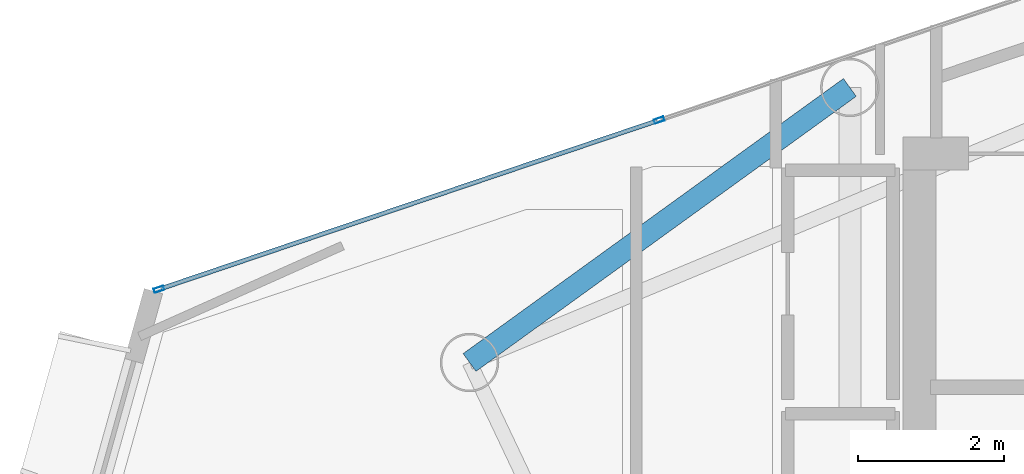
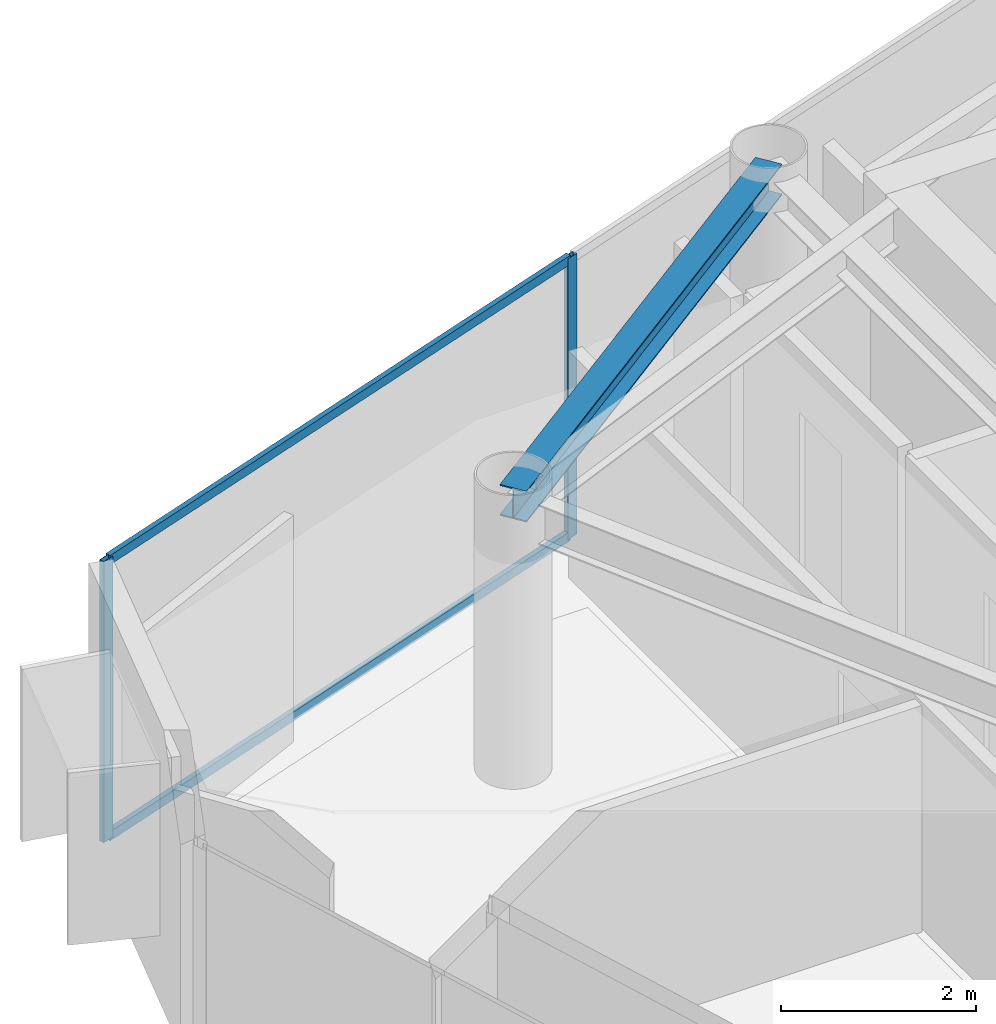
# One storey, part 9 of 19: 4 members, 1 beam, 1 element without a shape of its own.
"""IFC4 building model written with IfcOpenShell, lengths in metres."""

from ifc_helpers import new_model, si_unit, direction, frame, origin, origin_2d, place, context, subcontext, project, spatial, hollow_rectangle, i_section, extrude, material, layer, layer_set, material_profile, profile_set, type_object, element, aggregate, save


model = new_model("IFC4")

# Units and contexts
model_context = context("Model", 3, precision=1e-05, world=origin(), true_north=direction((0.0, 1.0)))
body_context = subcontext(model_context, "Body", "Model", "MODEL_VIEW")
ifc_project = project(units=[si_unit("LENGTHUNIT", "METRE"), si_unit("AREAUNIT", "SQUARE_METRE"), si_unit("VOLUMEUNIT", "CUBIC_METRE"), si_unit("PLANEANGLEUNIT", "RADIAN"), si_unit("MASSUNIT", "GRAM", prefix="KILO")], contexts=[model_context])

# Site, building, storey
site_placement = place(None, origin())
site = spatial("IfcSite", under=ifc_project, at=site_placement, CompositionType="ELEMENT")
building_placement = place(site_placement, origin())
building = spatial("IfcBuilding", under=site, at=building_placement, Name="Qianvela Tower", CompositionType="ELEMENT")
storey_placement = place(building_placement, frame((0.0, 0.0, 333.300048828125)))
storey = spatial("IfcBuildingStorey", under=building, at=storey_placement, Name="L86", CompositionType="ELEMENT", Elevation=333.300048828125)

# Beam
ifc_material_1 = material(Name="Steel Q355B", Category="steel")
ifc_material_profile_1 = material_profile(ifc_material_1, i_section(OverallWidth=0.300048828125, OverallDepth=0.389892578125, WebThickness=0.010009765625, FlangeThickness=0.01611328125, at=origin_2d()), Name="HM390x300x10x16")
ifc_profile_set_1 = profile_set([ifc_material_profile_1], Name="Steel Q355B")
beam_type = type_object("IfcBeamType", Name="BM-HM390-COLL", PredefinedType="BEAM", material=ifc_profile_set_1)
beam_placement = place(storey_placement, frame((28.60009765625, 33.550048828125, 3.322998046875), z_axis=(-0.810287827692, -0.586032112, 0.0), x_axis=(0.586032112, -0.810287827692, 0.0)))
element("IfcBeam", 1, at=beam_placement, inside=storey, type_object=beam_type, Name="L86 Radial Primary Floor Girder 3", PredefinedType="BEAM", context=body_context, shape_type="SweptSolid", body=[
    extrude(i_section(OverallWidth=0.300048828125, OverallDepth=0.389892578125, WebThickness=0.010009765625, FlangeThickness=0.01611328125, at=origin_2d()), origin(), (0.0, 0.0, 1.0), 6.417724609375),
])

# Curtain wall, members
ifc_material_2 = material(Name="Anodised Architectural Aluminium and Low-E Glass", Category="aluminium")
ifc_layer = layer(ifc_material_2, 0.14990234375)
ifc_layer_set = layer_set([ifc_layer], Name="Anodised Architectural Aluminium and Low-E Glass")
curtain_wall_type = type_object("IfcCurtainWallType", Name="CW-COLIV-Z78", PredefinedType="USERDEFINED", material=ifc_layer_set)
curtain_wall_placement = place(storey_placement, origin())
curtain_wall = element("IfcCurtainWall", 2, at=curtain_wall_placement, inside=storey, type_object=curtain_wall_type, Name="L86 CW-COLIV-Z78 Curtain Wall 02C", ObjectType="CURTAIN_WALL_SYSTEM", PredefinedType="USERDEFINED")
ifc_material_3 = material(Name="Anodised Architectural Aluminium 6063-T6", Category="aluminium")
ifc_material_profile_2 = material_profile(ifc_material_3, hollow_rectangle(XDim=0.06005859375, YDim=0.139892578125, WallThickness=0.00439453125, at=origin_2d()), Name="ALU-MULL-60x140")
ifc_profile_set_2 = profile_set([ifc_material_profile_2], Name="Anodised Architectural Aluminium 6063-T6")
member_type_1 = type_object("IfcMemberType", Name="CW-COLIV-Z78-MULL", PredefinedType="MULLION", material=ifc_profile_set_2)
member_1_placement = place(storey_placement, frame((25.9921875, 33.103515625, 0.0), z_axis=(0.0, 0.0, 1.0), x_axis=(0.320399874285, -0.947282386914, 0.0)))
member_1 = element("IfcMember", 3, at=member_1_placement, type_object=member_type_1, Name="CW-6 mullion 2", PredefinedType="MULLION", context=body_context, shape_type="SweptSolid", body=[
    extrude(hollow_rectangle(XDim=0.06005859375, YDim=0.139892578125, WallThickness=0.00439453125, at=origin_2d()), origin(), (0.0, 0.0, 1.0), 3.52001953125),
])
member_2_placement = place(storey_placement, frame((19.15283203125, 30.790283203125, 0.0), z_axis=(0.0, 0.0, 1.0), x_axis=(0.320399874285, -0.947282386914, 0.0)))
member_2 = element("IfcMember", 4, at=member_2_placement, type_object=member_type_1, Name="CW-6 mullion 3", PredefinedType="MULLION", context=body_context, shape_type="SweptSolid", body=[
    extrude(hollow_rectangle(XDim=0.06005859375, YDim=0.139892578125, WallThickness=0.00439453125, at=origin_2d()), origin(), (0.0, 0.0, 1.0), 3.52001953125),
])
ifc_material_4 = material(Name="Anodised Architectural Aluminium 6063-T6", Category="aluminium")
ifc_material_profile_3 = material_profile(ifc_material_4, hollow_rectangle(XDim=0.06005859375, YDim=0.114990234375, WallThickness=0.00390625, at=origin_2d()), Name="ALU-TRAN-60x115")
ifc_profile_set_3 = profile_set([ifc_material_profile_3], Name="Anodised Architectural Aluminium 6063-T6")
member_type_2 = type_object("IfcMemberType", Name="CW-COLIV-Z78-TRAN", PredefinedType="USERDEFINED", material=ifc_profile_set_3)
member_3_placement = place(storey_placement, frame((25.9638671875, 33.093994140625, 0.030029296875), z_axis=(-0.947276010004, -0.320418727404, 0.0), x_axis=(0.320418727404, -0.947276010004, 0.0)))
member_3 = element("IfcMember", 5, at=member_3_placement, type_object=member_type_2, Name="CW-6 transom 2.1", ObjectType="TRANSOM", PredefinedType="USERDEFINED", context=body_context, shape_type="SweptSolid", body=[
    extrude(hollow_rectangle(XDim=0.06005859375, YDim=0.114990234375, WallThickness=0.00390625, at=origin_2d()), origin(), (0.0, 0.0, 1.0), 7.159912109375),
])
member_4_placement = place(storey_placement, frame((25.9638671875, 33.093994140625, 3.489990234375), z_axis=(-0.947276010004, -0.320418727404, 0.0), x_axis=(0.320418727404, -0.947276010004, 0.0)))
member_4 = element("IfcMember", 6, at=member_4_placement, type_object=member_type_2, Name="CW-6 transom 2.2", ObjectType="TRANSOM", PredefinedType="USERDEFINED", context=body_context, shape_type="SweptSolid", body=[
    extrude(hollow_rectangle(XDim=0.06005859375, YDim=0.114990234375, WallThickness=0.00390625, at=origin_2d()), origin(), (0.0, 0.0, 1.0), 7.159912109375),
])
aggregate(curtain_wall, [member_1, member_2, member_3, member_4])

save(model, "model.ifc")
